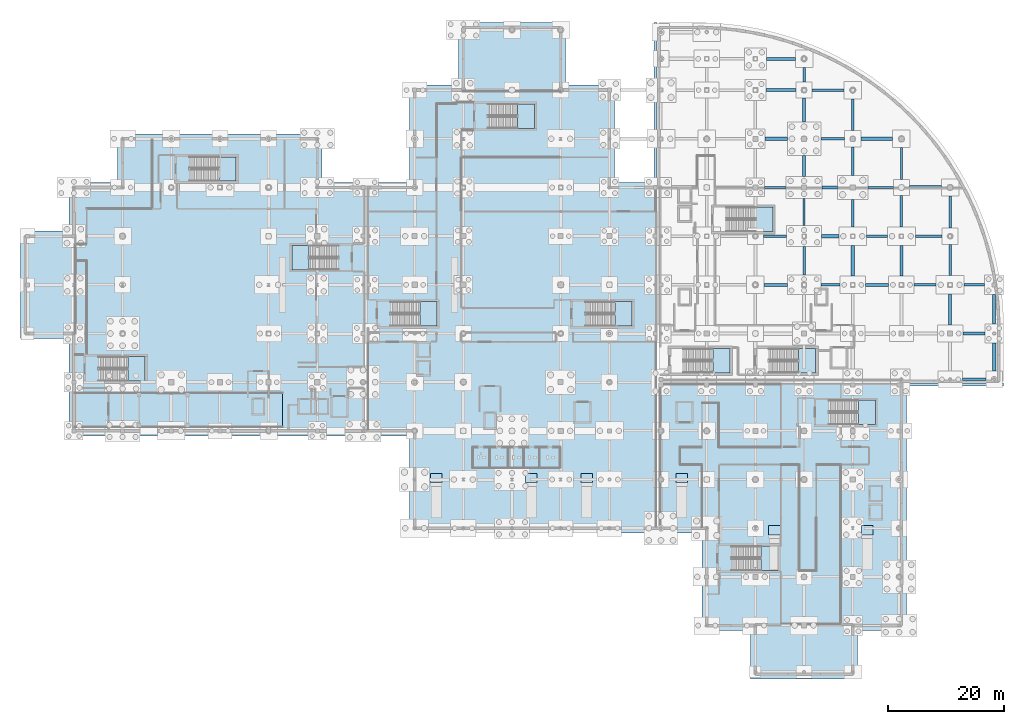
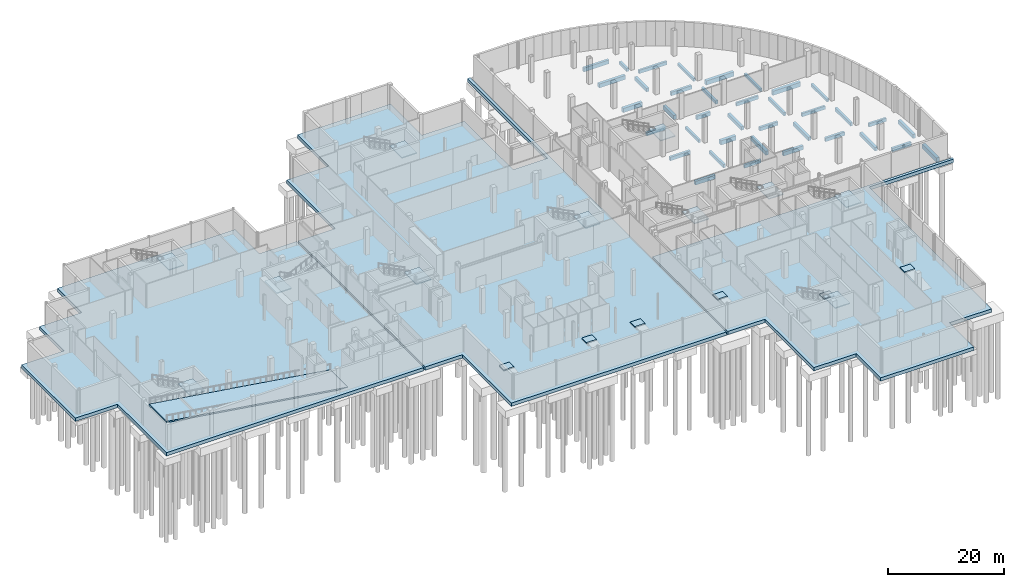
# One storey, part 24 of 49: 38 beams, 21 slabs, 11 elements without a shape of their own.
"""IFC4 building model written with IfcOpenShell, lengths in metres."""

from ifc_helpers import new_model, si_unit, direction, frame, origin, origin_2d, place, context, subcontext, project, spatial, polyline, rectangle, outline, extrude, material, layer, layer_set, material_profile, profile_set, type_object, element, aggregate, save


model = new_model("IFC4")

# Units and contexts
model_context = context("Model", 3, precision=1e-05, world=origin(), true_north=direction((0.0, 1.0)))
body_context = subcontext(model_context, "Body", "Model", "MODEL_VIEW")
ifc_project = project(units=[si_unit("LENGTHUNIT", "METRE"), si_unit("AREAUNIT", "SQUARE_METRE"), si_unit("VOLUMEUNIT", "CUBIC_METRE"), si_unit("PLANEANGLEUNIT", "RADIAN"), si_unit("MASSUNIT", "GRAM", prefix="KILO"), si_unit("THERMODYNAMICTEMPERATUREUNIT", "KELVIN")], contexts=[model_context])

# Site, building, storey
site_placement = place(None, origin())
site = spatial("IfcSite", under=ifc_project, at=site_placement, CompositionType="ELEMENT")
building_placement = place(site_placement, origin())
building = spatial("IfcBuilding", under=site, at=building_placement, Name="Lustrewick Department Store", CompositionType="ELEMENT")
storey_placement = place(building_placement, frame((0.0, 0.0, -5.39990234375)))
storey = spatial("IfcBuildingStorey", under=building, at=storey_placement, Name="B1", CompositionType="ELEMENT", Elevation=-5.39990234375)

# Beams
ifc_material_1 = material(Name="Concrete C40", Category="concrete")
ifc_material_profile_1 = material_profile(ifc_material_1, rectangle(XDim=0.60009765625, YDim=0.89990234375, at=origin_2d()), Name="RC 600x900")
ifc_profile_set_1 = profile_set([ifc_material_profile_1], Name="Concrete C40")
beam_type_1 = type_object("IfcBeamType", Name="GB01", PredefinedType="BEAM", material=ifc_profile_set_1)
beam_1_placement = place(storey_placement, frame((127.699951171875, 92.39990234375, -1.150146484375), z_axis=(1.0, 0.0, 0.0), x_axis=(0.0, 1.0, 0.0)))
element("IfcBeam", 1, at=beam_1_placement, inside=storey, type_object=beam_type_1, Name="Ground Tie Beam GB01 0217", PredefinedType="BEAM", context=body_context, shape_type="SweptSolid", body=[
    extrude(rectangle(XDim=0.60009765625, YDim=0.89990234375, at=origin_2d()), origin(), (0.0, 0.0, 1.0), 3.800048828125),
])
beam_2_placement = place(storey_placement, frame((137.39990234375, 75.60009765625, -1.150146484375), z_axis=(1.0, 0.0, 0.0), x_axis=(0.0, 1.0, 0.0)))
element("IfcBeam", 2, at=beam_2_placement, inside=storey, type_object=beam_type_1, Name="Ground Tie Beam GB01 0225", PredefinedType="BEAM", context=body_context, shape_type="SweptSolid", body=[
    extrude(rectangle(XDim=0.60009765625, YDim=0.89990234375, at=origin_2d()), origin(), (0.0, 0.0, 1.0), 3.0),
])
for number, where, z_axis, x_axis, name in (
    (3, (144.199951171875, 92.39990234375, -1.150146484375), (1.0, 0.0, 0.0), (0.0, 1.0, 0.0), "Ground Tie Beam GB01 0241"),
    (4, (152.60009765625, 84.0, -1.150146484375), (1.0, 0.0, 0.0), (0.0, 1.0, 0.0), "Ground Tie Beam GB01 0249"),
):
    element("IfcBeam", number, at=place(storey_placement, frame(where, z_axis=z_axis, x_axis=x_axis)), inside=storey, type_object=beam_type_1, Name=name, PredefinedType="BEAM", context=body_context, shape_type="SweptSolid", body=[
        extrude(rectangle(XDim=0.60009765625, YDim=0.89990234375, at=origin_2d()), origin(), (0.0, 0.0, 1.0), 5.5),
    ])
beam_3_placement = place(storey_placement, frame((167.199951171875, 52.300048828125, -1.150146484375), z_axis=(0.0, 1.0, 0.0), x_axis=(-1.0, 0.0, 0.0)))
element("IfcBeam", 5, at=beam_3_placement, inside=storey, type_object=beam_type_1, Name="Ground Tie Beam GB01 0257", PredefinedType="BEAM", context=body_context, shape_type="SweptSolid", body=[
    extrude(rectangle(XDim=0.60009765625, YDim=0.89990234375, at=origin_2d()), origin(), (0.0, 0.0, 1.0), 4.89990234375),
])
ifc_material_profile_2 = material_profile(ifc_material_1, rectangle(XDim=0.550048828125, YDim=0.85009765625, at=origin_2d()), Name="RC 550x850")
ifc_profile_set_2 = profile_set([ifc_material_profile_2], Name="Concrete C40")
beam_type_2 = type_object("IfcBeamType", Name="GB02", PredefinedType="BEAM", material=ifc_profile_set_2)
beam_4_placement = place(storey_placement, frame((127.800048828125, 100.800048828125, -1.125), z_axis=(1.0, 0.0, 0.0), x_axis=(0.0, 1.0, 0.0)))
element("IfcBeam", 6, at=beam_4_placement, inside=storey, type_object=beam_type_2, Name="Ground Tie Beam GB02 0218", PredefinedType="BEAM", context=body_context, shape_type="SweptSolid", body=[
    extrude(rectangle(XDim=0.550048828125, YDim=0.85009765625, at=origin_2d()), origin(), (0.0, 0.0, 1.0), 5.199951171875),
])
beam_5_placement = place(storey_placement, frame((134.39990234375, 85.89990234375, -1.125), z_axis=(0.0, 1.0, 0.0), x_axis=(-1.0, 0.0, 0.0)))
element("IfcBeam", 7, at=beam_5_placement, inside=storey, type_object=beam_type_2, Name="Ground Tie Beam GB02 0226", PredefinedType="BEAM", context=body_context, shape_type="SweptSolid", body=[
    extrude(rectangle(XDim=0.550048828125, YDim=0.85009765625, at=origin_2d()), origin(), (0.0, 0.0, 1.0), 3.60009765625),
])
beam_6_placement = place(storey_placement, frame((142.800048828125, 68.699951171875, -1.125), z_axis=(0.0, 1.0, 0.0), x_axis=(-1.0, 0.0, 0.0)))
element("IfcBeam", 8, at=beam_6_placement, inside=storey, type_object=beam_type_2, Name="Ground Tie Beam GB02 0234", PredefinedType="BEAM", context=body_context, shape_type="SweptSolid", body=[
    extrude(rectangle(XDim=0.550048828125, YDim=0.85009765625, at=origin_2d()), origin(), (0.0, 0.0, 1.0), 5.300048828125),
])
beam_7_placement = place(storey_placement, frame((167.199951171875, 60.39990234375, -1.125), z_axis=(0.0, 1.0, 0.0), x_axis=(-1.0, 0.0, 0.0)))
element("IfcBeam", 9, at=beam_7_placement, inside=storey, type_object=beam_type_2, Name="Ground Tie Beam GB02 0258", PredefinedType="BEAM", context=body_context, shape_type="SweptSolid", body=[
    extrude(rectangle(XDim=0.550048828125, YDim=0.85009765625, at=origin_2d()), origin(), (0.0, 0.0, 1.0), 5.10009765625),
])
ifc_material_profile_3 = material_profile(ifc_material_1, rectangle(XDim=0.5, YDim=0.800048828125, at=origin_2d()), Name="RC 500x800")
ifc_profile_set_3 = profile_set([ifc_material_profile_3], Name="Concrete C40")
beam_type_3 = type_object("IfcBeamType", Name="GB03", PredefinedType="BEAM", material=ifc_profile_set_3)
beam_8_placement = place(storey_placement, frame((127.5, 67.199951171875, -1.10009765625), z_axis=(1.0, 0.0, 0.0), x_axis=(0.0, 1.0, 0.0)))
element("IfcBeam", 10, at=beam_8_placement, inside=storey, type_object=beam_type_3, Name="Ground Tie Beam GB03 0211", PredefinedType="BEAM", context=body_context, shape_type="SweptSolid", body=[
    extrude(rectangle(XDim=0.5, YDim=0.800048828125, at=origin_2d()), origin(), (0.0, 0.0, 1.0), 4.0),
])
beam_9_placement = place(storey_placement, frame((127.89990234375, 106.199951171875, -1.10009765625), z_axis=(1.0, 0.0, 0.0), x_axis=(0.0, 1.0, 0.0)))
element("IfcBeam", 11, at=beam_9_placement, inside=storey, type_object=beam_type_3, Name="Ground Tie Beam GB03 0219", PredefinedType="BEAM", context=body_context, shape_type="SweptSolid", body=[
    extrude(rectangle(XDim=0.5, YDim=0.800048828125, at=origin_2d()), origin(), (0.0, 0.0, 1.0), 5.0),
])
beam_10_placement = place(storey_placement, frame((137.5, 84.0, -1.10009765625), z_axis=(1.0, 0.0, 0.0), x_axis=(0.0, 1.0, 0.0)))
element("IfcBeam", 12, at=beam_10_placement, inside=storey, type_object=beam_type_3, Name="Ground Tie Beam GB03 0227", PredefinedType="BEAM", context=body_context, shape_type="SweptSolid", body=[
    extrude(rectangle(XDim=0.5, YDim=0.800048828125, at=origin_2d()), origin(), (0.0, 0.0, 1.0), 2.699951171875),
])
beam_11_placement = place(storey_placement, frame((145.0, 67.199951171875, -1.10009765625), z_axis=(1.0, 0.0, 0.0), x_axis=(0.0, 1.0, 0.0)))
element("IfcBeam", 13, at=beam_11_placement, inside=storey, type_object=beam_type_3, Name="Ground Tie Beam GB03 0235", PredefinedType="BEAM", context=body_context, shape_type="SweptSolid", body=[
    extrude(rectangle(XDim=0.5, YDim=0.800048828125, at=origin_2d()), origin(), (0.0, 0.0, 1.0), 4.0),
])
beam_12_placement = place(storey_placement, frame((161.699951171875, 50.89990234375, -1.10009765625), z_axis=(1.0, 0.0, 0.0), x_axis=(0.0, 1.0, 0.0)))
element("IfcBeam", 14, at=beam_12_placement, inside=storey, type_object=beam_type_3, Name="Ground Tie Beam GB03 0251", PredefinedType="BEAM", context=body_context, shape_type="SweptSolid", body=[
    extrude(rectangle(XDim=0.5, YDim=0.800048828125, at=origin_2d()), origin(), (0.0, 0.0, 1.0), 4.10009765625),
])
ifc_material_profile_4 = material_profile(ifc_material_1, rectangle(XDim=0.5, YDim=0.75, at=origin_2d()), Name="RC 500x750")
ifc_profile_set_4 = profile_set([ifc_material_profile_4], Name="Concrete C40")
beam_type_4 = type_object("IfcBeamType", Name="GB04", PredefinedType="BEAM", material=ifc_profile_set_4)
beam_13_placement = place(storey_placement, frame((134.39990234375, 95.300048828125, -1.0751953125), z_axis=(0.0, 1.0, 0.0), x_axis=(-1.0, 0.0, 0.0)))
element("IfcBeam", 15, at=beam_13_placement, inside=storey, type_object=beam_type_4, Name="Ground Tie Beam GB04 0228", PredefinedType="BEAM", context=body_context, shape_type="SweptSolid", body=[
    extrude(rectangle(XDim=0.5, YDim=0.75, at=origin_2d()), origin(), (0.0, 0.0, 1.0), 4.099853515625),
])
beam_14_placement = place(storey_placement, frame((142.800048828125, 77.199951171875, -1.0751953125), z_axis=(0.0, 1.0, 0.0), x_axis=(-1.0, 0.0, 0.0)))
element("IfcBeam", 16, at=beam_14_placement, inside=storey, type_object=beam_type_4, Name="Ground Tie Beam GB04 0236", PredefinedType="BEAM", context=body_context, shape_type="SweptSolid", body=[
    extrude(rectangle(XDim=0.5, YDim=0.75, at=origin_2d()), origin(), (0.0, 0.0, 1.0), 4.699951171875),
])
for number, where, z_axis, x_axis, name in (
    (17, (151.199951171875, 68.699951171875, -1.0751953125), (0.0, 1.0, 0.0), (-1.0, 0.0, 0.0), "Ground Tie Beam GB04 0244"),
    (18, (159.60009765625, 60.300048828125, -1.0751953125), (0.0, 1.0, 0.0), (-1.0, 0.0, 0.0), "Ground Tie Beam GB04 0252"),
):
    element("IfcBeam", number, at=place(storey_placement, frame(where, z_axis=z_axis, x_axis=x_axis)), inside=storey, type_object=beam_type_4, Name=name, PredefinedType="BEAM", context=body_context, shape_type="SweptSolid", body=[
        extrude(rectangle(XDim=0.5, YDim=0.75, at=origin_2d()), origin(), (0.0, 0.0, 1.0), 5.300048828125),
    ])
ifc_material_profile_5 = material_profile(ifc_material_1, rectangle(XDim=0.449951171875, YDim=0.75, at=origin_2d()), Name="RC 450x750")
ifc_profile_set_5 = profile_set([ifc_material_profile_5], Name="Concrete C40")
beam_type_5 = type_object("IfcBeamType", Name="GB05", PredefinedType="BEAM", material=ifc_profile_set_5)
beam_15_placement = place(storey_placement, frame((127.39990234375, 75.60009765625, -1.0751953125), z_axis=(1.0, 0.0, 0.0), x_axis=(0.0, 1.0, 0.0)))
element("IfcBeam", 19, at=beam_15_placement, inside=storey, type_object=beam_type_5, Name="Ground Tie Beam GB05 0213", PredefinedType="BEAM", context=body_context, shape_type="SweptSolid", body=[
    extrude(rectangle(XDim=0.449951171875, YDim=0.75, at=origin_2d()), origin(), (0.0, 0.0, 1.0), 4.0),
])
beam_16_placement = place(storey_placement, frame((137.300048828125, 92.39990234375, -1.0751953125), z_axis=(1.0, 0.0, 0.0), x_axis=(0.0, 1.0, 0.0)))
element("IfcBeam", 20, at=beam_16_placement, inside=storey, type_object=beam_type_5, Name="Ground Tie Beam GB05 0229", PredefinedType="BEAM", context=body_context, shape_type="SweptSolid", body=[
    extrude(rectangle(XDim=0.449951171875, YDim=0.75, at=origin_2d()), origin(), (0.0, 0.0, 1.0), 4.099853515625),
])
beam_17_placement = place(storey_placement, frame((145.199951171875, 75.60009765625, -1.0751953125), z_axis=(1.0, 0.0, 0.0), x_axis=(0.0, 1.0, 0.0)))
element("IfcBeam", 21, at=beam_17_placement, inside=storey, type_object=beam_type_5, Name="Ground Tie Beam GB05 0237", PredefinedType="BEAM", context=body_context, shape_type="SweptSolid", body=[
    extrude(rectangle(XDim=0.449951171875, YDim=0.75, at=origin_2d()), origin(), (0.0, 0.0, 1.0), 3.60009765625),
])
for number, where, z_axis, x_axis, name in (
    (22, (153.39990234375, 67.199951171875, -1.0751953125), (1.0, 0.0, 0.0), (0.0, 1.0, 0.0), "Ground Tie Beam GB05 0245"),
    (23, (161.800048828125, 58.800048828125, -1.0751953125), (1.0, 0.0, 0.0), (0.0, 1.0, 0.0), "Ground Tie Beam GB05 0253"),
):
    element("IfcBeam", number, at=place(storey_placement, frame(where, z_axis=z_axis, x_axis=x_axis)), inside=storey, type_object=beam_type_5, Name=name, PredefinedType="BEAM", context=body_context, shape_type="SweptSolid", body=[
        extrude(rectangle(XDim=0.449951171875, YDim=0.75, at=origin_2d()), origin(), (0.0, 0.0, 1.0), 3.800048828125),
    ])
ifc_material_profile_6 = material_profile(ifc_material_1, rectangle(XDim=0.449951171875, YDim=0.699951171875, at=origin_2d()), Name="RC 450x700")
ifc_profile_set_6 = profile_set([ifc_material_profile_6], Name="Concrete C40")
beam_type_6 = type_object("IfcBeamType", Name="GB06", PredefinedType="BEAM", material=ifc_profile_set_6)
beam_18_placement = place(storey_placement, frame((134.39990234375, 68.89990234375, -1.050048828125), z_axis=(0.0, 1.0, 0.0), x_axis=(-1.0, 0.0, 0.0)))
element("IfcBeam", 24, at=beam_18_placement, inside=storey, type_object=beam_type_6, Name="Ground Tie Beam GB06 0222", PredefinedType="BEAM", context=body_context, shape_type="SweptSolid", body=[
    extrude(rectangle(XDim=0.449951171875, YDim=0.699951171875, at=origin_2d()), origin(), (0.0, 0.0, 1.0), 4.900146484375),
])
beam_19_placement = place(storey_placement, frame((134.39990234375, 102.199951171875, -1.050048828125), z_axis=(0.0, 1.0, 0.0), x_axis=(-1.0, 0.0, 0.0)))
element("IfcBeam", 25, at=beam_19_placement, inside=storey, type_object=beam_type_6, Name="Ground Tie Beam GB06 0230", PredefinedType="BEAM", context=body_context, shape_type="SweptSolid", body=[
    extrude(rectangle(XDim=0.449951171875, YDim=0.699951171875, at=origin_2d()), origin(), (0.0, 0.0, 1.0), 2.5),
])
beam_20_placement = place(storey_placement, frame((142.800048828125, 86.10009765625, -1.050048828125), z_axis=(0.0, 1.0, 0.0), x_axis=(-1.0, 0.0, 0.0)))
element("IfcBeam", 26, at=beam_20_placement, inside=storey, type_object=beam_type_6, Name="Ground Tie Beam GB06 0238", PredefinedType="BEAM", context=body_context, shape_type="SweptSolid", body=[
    extrude(rectangle(XDim=0.449951171875, YDim=0.699951171875, at=origin_2d()), origin(), (0.0, 0.0, 1.0), 4.89990234375),
])
beam_21_placement = place(storey_placement, frame((151.199951171875, 77.199951171875, -1.050048828125), z_axis=(0.0, 1.0, 0.0), x_axis=(-1.0, 0.0, 0.0)))
element("IfcBeam", 27, at=beam_21_placement, inside=storey, type_object=beam_type_6, Name="Ground Tie Beam GB06 0246", PredefinedType="BEAM", context=body_context, shape_type="SweptSolid", body=[
    extrude(rectangle(XDim=0.449951171875, YDim=0.699951171875, at=origin_2d()), origin(), (0.0, 0.0, 1.0), 5.400146484375),
])
beam_22_placement = place(storey_placement, frame((159.60009765625, 68.800048828125, -1.050048828125), z_axis=(0.0, 1.0, 0.0), x_axis=(-1.0, 0.0, 0.0)))
element("IfcBeam", 28, at=beam_22_placement, inside=storey, type_object=beam_type_6, Name="Ground Tie Beam GB06 0254", PredefinedType="BEAM", context=body_context, shape_type="SweptSolid", body=[
    extrude(rectangle(XDim=0.449951171875, YDim=0.699951171875, at=origin_2d()), origin(), (0.0, 0.0, 1.0), 5.39990234375),
])
ifc_material_profile_7 = material_profile(ifc_material_1, rectangle(XDim=0.39990234375, YDim=0.699951171875, at=origin_2d()), Name="RC 400x700")
ifc_profile_set_7 = profile_set([ifc_material_profile_7], Name="Concrete C40")
beam_type_7 = type_object("IfcBeamType", Name="GB07", PredefinedType="BEAM", material=ifc_profile_set_7)
beam_23_placement = place(storey_placement, frame((127.60009765625, 84.0, -1.050048828125), z_axis=(1.0, 0.0, 0.0), x_axis=(0.0, 1.0, 0.0)))
element("IfcBeam", 29, at=beam_23_placement, inside=storey, type_object=beam_type_7, Name="Ground Tie Beam GB07 0215", PredefinedType="BEAM", context=body_context, shape_type="SweptSolid", body=[
    extrude(rectangle(XDim=0.39990234375, YDim=0.699951171875, at=origin_2d()), origin(), (0.0, 0.0, 1.0), 3.699951171875),
])
beam_24_placement = place(storey_placement, frame((137.300048828125, 67.199951171875, -1.050048828125), z_axis=(1.0, 0.0, 0.0), x_axis=(0.0, 1.0, 0.0)))
element("IfcBeam", 30, at=beam_24_placement, inside=storey, type_object=beam_type_7, Name="Ground Tie Beam GB07 0223", PredefinedType="BEAM", context=body_context, shape_type="SweptSolid", body=[
    extrude(rectangle(XDim=0.39990234375, YDim=0.699951171875, at=origin_2d()), origin(), (0.0, 0.0, 1.0), 3.300048828125),
])
beam_25_placement = place(storey_placement, frame((135.800048828125, 100.800048828125, -1.050048828125), z_axis=(1.0, 0.0, 0.0), x_axis=(0.0, 1.0, 0.0)))
element("IfcBeam", 31, at=beam_25_placement, inside=storey, type_object=beam_type_7, Name="Ground Tie Beam GB07 0231", PredefinedType="BEAM", context=body_context, shape_type="SweptSolid", body=[
    extrude(rectangle(XDim=0.39990234375, YDim=0.699951171875, at=origin_2d()), origin(), (0.0, 0.0, 1.0), 5.5),
])
beam_26_placement = place(storey_placement, frame((145.39990234375, 84.0, -1.050048828125), z_axis=(1.0, 0.0, 0.0), x_axis=(0.0, 1.0, 0.0)))
element("IfcBeam", 32, at=beam_26_placement, inside=storey, type_object=beam_type_7, Name="Ground Tie Beam GB07 0239", PredefinedType="BEAM", context=body_context, shape_type="SweptSolid", body=[
    extrude(rectangle(XDim=0.39990234375, YDim=0.699951171875, at=origin_2d()), origin(), (0.0, 0.0, 1.0), 4.400146484375),
])
beam_27_placement = place(storey_placement, frame((153.60009765625, 75.60009765625, -1.050048828125), z_axis=(1.0, 0.0, 0.0), x_axis=(0.0, 1.0, 0.0)))
element("IfcBeam", 33, at=beam_27_placement, inside=storey, type_object=beam_type_7, Name="Ground Tie Beam GB07 0247", PredefinedType="BEAM", context=body_context, shape_type="SweptSolid", body=[
    extrude(rectangle(XDim=0.39990234375, YDim=0.699951171875, at=origin_2d()), origin(), (0.0, 0.0, 1.0), 4.599853515625),
])
beam_28_placement = place(storey_placement, frame((162.0, 67.199951171875, -1.050048828125), z_axis=(1.0, 0.0, 0.0), x_axis=(0.0, 1.0, 0.0)))
element("IfcBeam", 34, at=beam_28_placement, inside=storey, type_object=beam_type_7, Name="Ground Tie Beam GB07 0255", PredefinedType="BEAM", context=body_context, shape_type="SweptSolid", body=[
    extrude(rectangle(XDim=0.39990234375, YDim=0.699951171875, at=origin_2d()), origin(), (0.0, 0.0, 1.0), 3.5),
])
ifc_material_profile_8 = material_profile(ifc_material_1, rectangle(XDim=0.39990234375, YDim=0.60009765625, at=origin_2d()), Name="RC 400x600")
ifc_profile_set_8 = profile_set([ifc_material_profile_8], Name="Concrete C40")
beam_type_8 = type_object("IfcBeamType", Name="GB08", PredefinedType="BEAM", material=ifc_profile_set_8)
beam_29_placement = place(storey_placement, frame((134.39990234375, 77.39990234375, -1.0), z_axis=(0.0, 1.0, 0.0), x_axis=(-1.0, 0.0, 0.0)))
element("IfcBeam", 35, at=beam_29_placement, inside=storey, type_object=beam_type_8, Name="Ground Tie Beam GB08 0224", PredefinedType="BEAM", context=body_context, shape_type="SweptSolid", body=[
    extrude(rectangle(XDim=0.39990234375, YDim=0.60009765625, at=origin_2d()), origin(), (0.0, 0.0, 1.0), 4.7001953125),
])
for number, where, z_axis, x_axis, name in (
    (36, (142.800048828125, 93.800048828125, -1.0), (0.0, 1.0, 0.0), (-1.0, 0.0, 0.0), "Ground Tie Beam GB08 0240"),
    (37, (151.199951171875, 85.39990234375, -1.0), (0.0, 1.0, 0.0), (-1.0, 0.0, 0.0), "Ground Tie Beam GB08 0248"),
    (38, (159.60009765625, 77.0, -1.0), (0.0, 1.0, 0.0), (-1.0, 0.0, 0.0), "Ground Tie Beam GB08 0256"),
):
    element("IfcBeam", number, at=place(storey_placement, frame(where, z_axis=z_axis, x_axis=x_axis)), inside=storey, type_object=beam_type_8, Name=name, PredefinedType="BEAM", context=body_context, shape_type="SweptSolid", body=[
        extrude(rectangle(XDim=0.39990234375, YDim=0.60009765625, at=origin_2d()), origin(), (0.0, 0.0, 1.0), 5.5),
    ])

# Slabs
ifc_material_2 = material(Name="Concrete C35", Category="concrete")
ifc_layer_1 = layer(ifc_material_2, 0.699951171875, Name="Concrete C35")
ifc_layer_set_1 = layer_set([ifc_layer_1], Name="Concrete C35")
slab_type_1 = type_object("IfcSlabType", Name="BS01", PredefinedType="BASESLAB", material=ifc_layer_set_1)
slab_1_placement = place(storey_placement, frame((0.0, 0.0, -0.7001953125)))
element("IfcSlab", 39, at=slab_1_placement, inside=storey, type_object=slab_type_1, Name="B1 Base Slab BS-W", PredefinedType="BASESLAB", context=body_context, shape_type="SweptSolid", body=[
    extrude(outline(polyline([(58.64990234375, 41.14990234375), (58.64990234375, 84.85009765625), (51.25, 84.85009765625), (51.25, 93.25), (15.949951171875, 93.25), (15.949951171875, 84.85009765625), (7.550048828125, 84.85009765625), (7.550048828125, 76.449951171875), (-0.85009765625, 76.449951171875), (-0.85009765625, 57.949951171875), (7.550048828125, 57.949951171875), (7.550048828125, 41.14990234375), (58.64990234375, 41.14990234375)])), origin(), (0.0, 0.0, 1.0), 0.7001953125),
])
slab_2_placement = place(storey_placement, frame((0.0, 0.0, -0.7001953125)))
element("IfcSlab", 40, at=slab_2_placement, inside=storey, type_object=slab_type_1, Name="B1 Base Slab BS-C", PredefinedType="BASESLAB", context=body_context, shape_type="SweptSolid", body=[
    extrude(outline(polyline([(108.5, 84.85009765625), (101.64990234375, 84.85009765625), (101.64990234375, 101.64990234375), (93.25, 101.64990234375), (93.25, 112.449951171875), (74.75, 112.449951171875), (74.75, 101.64990234375), (66.35009765625, 101.64990234375), (66.35009765625, 84.85009765625), (58.949951171875, 84.85009765625), (58.949951171875, 41.14990234375), (66.35009765625, 41.14990234375), (66.35009765625, 24.35009765625), (109.050048828125, 24.35009765625), (109.050048828125, 112.449951171875), (108.5, 112.449951171875), (108.5, 84.85009765625)])), origin(), (0.0, 0.0, 1.0), 0.7001953125),
])
ifc_layer_2 = layer(ifc_material_2, 0.6201171875, Name="Concrete C35")
ifc_layer_set_2 = layer_set([ifc_layer_2], Name="Concrete C35")
slab_type_2 = type_object("IfcSlabType", Name="BS02", PredefinedType="BASESLAB", material=ifc_layer_set_2)
slab_3_placement = place(storey_placement, frame((0.0, 0.0, -0.7001953125)))
element("IfcSlab", 41, at=slab_3_placement, inside=storey, type_object=slab_type_2, Name="B1 Base Slab BS-SE", PredefinedType="BASESLAB", context=body_context, shape_type="SweptSolid", body=[
    extrude(outline(polyline([(168.85009765625, 50.25), (109.35009765625, 50.25), (109.35009765625, 24.35009765625), (116.75, 24.35009765625), (116.75, 7.550048828125), (125.14990234375, 7.550048828125), (125.14990234375, -0.85009765625), (143.64990234375, -0.85009765625), (143.64990234375, 7.550048828125), (152.050048828125, 7.550048828125), (152.050048828125, 49.699951171875), (168.85009765625, 49.699951171875), (168.85009765625, 50.25)])), origin(), (0.0, 0.0, 1.0), 0.7001953125),
])

# Stair, slab
ifc_material_3 = material(Name="Concrete C30", Category="concrete")
stair_type = type_object("IfcStairType", Name="ST-H54", PredefinedType="HALF_TURN_STAIR", material=ifc_material_3)
stair_1_placement = place(storey_placement, origin())
stair_1 = element("IfcStair", 42, at=stair_1_placement, inside=storey, type_object=stair_type, Name="B1 Smoke-Proof Exit Stair ST01", PredefinedType="HALF_TURN_STAIR")
ifc_layer_3 = layer(ifc_material_3, 0.199951171875, Name="Concrete C30")
ifc_layer_set_3 = layer_set([ifc_layer_3], Name="Concrete C30")
slab_type_3 = type_object("IfcSlabType", Name="LS01", PredefinedType="LANDING", material=ifc_layer_set_3)
slab_4_placement = place(storey_placement, frame((0.0, 0.0, 2.5)))
slab_4 = element("IfcSlab", 43, at=slab_4_placement, type_object=slab_type_3, Name="ST-H54 landing 1", PredefinedType="LANDING", context=body_context, shape_type="SweptSolid", body=[
    extrude(outline(polyline([(17.75, 50.60009765625), (20.699951171875, 50.60009765625), (20.699951171875, 54.800048828125), (17.75, 54.800048828125), (17.75, 50.60009765625)])), origin(), (0.0, 0.0, 1.0), 0.199951171875),
])
aggregate(stair_1, [slab_4])

stair_2_placement = place(storey_placement, origin())
stair_2 = element("IfcStair", 44, at=stair_2_placement, inside=storey, type_object=stair_type, Name="B1 Smoke-Proof Exit Stair ST02", PredefinedType="HALF_TURN_STAIR")
slab_5_placement = place(storey_placement, frame((0.0, 0.0, 2.5)))
slab_5 = element("IfcSlab", 45, at=slab_5_placement, type_object=slab_type_3, Name="ST-H54 landing 1", PredefinedType="LANDING", context=body_context, shape_type="SweptSolid", body=[
    extrude(outline(polyline([(48.949951171875, 74.0), (46.0, 74.0), (46.0, 69.800048828125), (48.949951171875, 69.800048828125), (48.949951171875, 74.0)])), origin(), (0.0, 0.0, 1.0), 0.199951171875),
])
aggregate(stair_2, [slab_5])

stair_3_placement = place(storey_placement, origin())
stair_3 = element("IfcStair", 46, at=stair_3_placement, inside=storey, type_object=stair_type, Name="B1 Smoke-Proof Exit Stair ST03", PredefinedType="HALF_TURN_STAIR")
slab_6_placement = place(storey_placement, frame((0.0, 0.0, 2.5)))
slab_6 = element("IfcSlab", 47, at=slab_6_placement, type_object=slab_type_3, Name="ST-H54 landing 1", PredefinedType="LANDING", context=body_context, shape_type="SweptSolid", body=[
    extrude(outline(polyline([(33.449951171875, 85.10009765625), (36.39990234375, 85.10009765625), (36.39990234375, 89.300048828125), (33.449951171875, 89.300048828125), (33.449951171875, 85.10009765625)])), origin(), (0.0, 0.0, 1.0), 0.199951171875),
])
aggregate(stair_3, [slab_6])

stair_4_placement = place(storey_placement, origin())
stair_4 = element("IfcStair", 48, at=stair_4_placement, inside=storey, type_object=stair_type, Name="B1 Smoke-Proof Exit Stair ST04", PredefinedType="HALF_TURN_STAIR")
slab_7_placement = place(storey_placement, frame((0.0, 0.0, 2.5)))
slab_7 = element("IfcSlab", 49, at=slab_7_placement, type_object=slab_type_3, Name="ST-H54 landing 1", PredefinedType="LANDING", context=body_context, shape_type="SweptSolid", body=[
    extrude(outline(polyline([(68.14990234375, 60.10009765625), (71.10009765625, 60.10009765625), (71.10009765625, 64.300048828125), (68.14990234375, 64.300048828125), (68.14990234375, 60.10009765625)])), origin(), (0.0, 0.0, 1.0), 0.199951171875),
])
aggregate(stair_4, [slab_7])

stair_5_placement = place(storey_placement, origin())
stair_5 = element("IfcStair", 50, at=stair_5_placement, inside=storey, type_object=stair_type, Name="B1 Smoke-Proof Exit Stair ST05", PredefinedType="HALF_TURN_STAIR")
slab_8_placement = place(storey_placement, frame((0.0, 0.0, 2.5)))
slab_8 = element("IfcSlab", 51, at=slab_8_placement, type_object=slab_type_3, Name="ST-H54 landing 1", PredefinedType="LANDING", context=body_context, shape_type="SweptSolid", body=[
    extrude(outline(polyline([(101.75, 60.10009765625), (104.699951171875, 60.10009765625), (104.699951171875, 64.300048828125), (101.75, 64.300048828125), (101.75, 60.10009765625)])), origin(), (0.0, 0.0, 1.0), 0.199951171875),
])
aggregate(stair_5, [slab_8])

stair_6_placement = place(storey_placement, origin())
stair_6 = element("IfcStair", 52, at=stair_6_placement, inside=storey, type_object=stair_type, Name="B1 Smoke-Proof Exit Stair ST06", PredefinedType="HALF_TURN_STAIR")
slab_9_placement = place(storey_placement, frame((0.0, 0.0, 2.5)))
slab_9 = element("IfcSlab", 53, at=slab_9_placement, type_object=slab_type_3, Name="ST-H54 landing 1", PredefinedType="LANDING", context=body_context, shape_type="SweptSolid", body=[
    extrude(outline(polyline([(84.949951171875, 94.199951171875), (87.89990234375, 94.199951171875), (87.89990234375, 98.39990234375), (84.949951171875, 98.39990234375), (84.949951171875, 94.199951171875)])), origin(), (0.0, 0.0, 1.0), 0.199951171875),
])
aggregate(stair_6, [slab_9])

stair_7_placement = place(storey_placement, origin())
stair_7 = element("IfcStair", 54, at=stair_7_placement, inside=storey, type_object=stair_type, Name="B1 Smoke-Proof Exit Stair ST07", PredefinedType="HALF_TURN_STAIR")
slab_10_placement = place(storey_placement, frame((0.0, 0.0, 2.5)))
slab_10 = element("IfcSlab", 55, at=slab_10_placement, type_object=slab_type_3, Name="ST-H54 landing 1", PredefinedType="LANDING", context=body_context, shape_type="SweptSolid", body=[
    extrude(outline(polyline([(126.949951171875, 17.89990234375), (129.89990234375, 17.89990234375), (129.89990234375, 22.10009765625), (126.949951171875, 22.10009765625), (126.949951171875, 17.89990234375)])), origin(), (0.0, 0.0, 1.0), 0.199951171875),
])
aggregate(stair_7, [slab_10])

stair_8_placement = place(storey_placement, origin())
stair_8 = element("IfcStair", 56, at=stair_8_placement, inside=storey, type_object=stair_type, Name="B1 Smoke-Proof Exit Stair ST08", PredefinedType="HALF_TURN_STAIR")
slab_11_placement = place(storey_placement, frame((0.0, 0.0, 2.5)))
slab_11 = element("IfcSlab", 57, at=slab_11_placement, type_object=slab_type_3, Name="ST-H54 landing 1", PredefinedType="LANDING", context=body_context, shape_type="SweptSolid", body=[
    extrude(outline(polyline([(143.75, 43.10009765625), (146.699951171875, 43.10009765625), (146.699951171875, 47.300048828125), (143.75, 47.300048828125), (143.75, 43.10009765625)])), origin(), (0.0, 0.0, 1.0), 0.199951171875),
])
aggregate(stair_8, [slab_11])

stair_9_placement = place(storey_placement, origin())
stair_9 = element("IfcStair", 58, at=stair_9_placement, inside=storey, type_object=stair_type, Name="B1 Smoke-Proof Exit Stair ST09", PredefinedType="HALF_TURN_STAIR")
slab_12_placement = place(storey_placement, frame((0.0, 0.0, 2.5)))
slab_12 = element("IfcSlab", 59, at=slab_12_placement, type_object=slab_type_3, Name="ST-H54 landing 1", PredefinedType="LANDING", context=body_context, shape_type="SweptSolid", body=[
    extrude(outline(polyline([(118.64990234375, 52.0), (121.60009765625, 52.0), (121.60009765625, 56.199951171875), (118.64990234375, 56.199951171875), (118.64990234375, 52.0)])), origin(), (0.0, 0.0, 1.0), 0.199951171875),
])
aggregate(stair_9, [slab_12])

stair_10_placement = place(storey_placement, origin())
stair_10 = element("IfcStair", 60, at=stair_10_placement, inside=storey, type_object=stair_type, Name="B1 Smoke-Proof Exit Stair ST10", PredefinedType="HALF_TURN_STAIR")
slab_13_placement = place(storey_placement, frame((0.0, 0.0, 2.5)))
slab_13 = element("IfcSlab", 61, at=slab_13_placement, type_object=slab_type_3, Name="ST-H54 landing 1", PredefinedType="LANDING", context=body_context, shape_type="SweptSolid", body=[
    extrude(outline(polyline([(126.050048828125, 76.39990234375), (129.0, 76.39990234375), (129.0, 80.60009765625), (126.050048828125, 80.60009765625), (126.050048828125, 76.39990234375)])), origin(), (0.0, 0.0, 1.0), 0.199951171875),
])
aggregate(stair_10, [slab_13])

stair_11_placement = place(storey_placement, origin())
stair_11 = element("IfcStair", 62, at=stair_11_placement, inside=storey, type_object=stair_type, Name="B1 Smoke-Proof Exit Stair ST11", PredefinedType="HALF_TURN_STAIR")
slab_14_placement = place(storey_placement, frame((0.0, 0.0, 2.5)))
slab_14 = element("IfcSlab", 63, at=slab_14_placement, type_object=slab_type_3, Name="ST-H54 landing 1", PredefinedType="LANDING", context=body_context, shape_type="SweptSolid", body=[
    extrude(outline(polyline([(133.449951171875, 52.0), (136.39990234375, 52.0), (136.39990234375, 56.199951171875), (133.449951171875, 56.199951171875), (133.449951171875, 52.0)])), origin(), (0.0, 0.0, 1.0), 0.199951171875),
])
aggregate(stair_11, [slab_14])

# Slabs
slab_15_placement = place(storey_placement, frame((0.0, 0.0, 0.25)))
element("IfcSlab", 64, at=slab_15_placement, inside=storey, type_object=slab_type_3, Name="B1 Barrier-Free Ramp Top Landing Slab PR-01", PredefinedType="LANDING", context=body_context, shape_type="SweptSolid", body=[
    extrude(outline(polyline([(71.89990234375, 33.050048828125), (71.89990234375, 34.64990234375), (69.89990234375, 34.64990234375), (69.89990234375, 33.050048828125), (71.89990234375, 33.050048828125)])), origin(), (0.0, 0.0, 1.0), 0.199951171875),
])
slab_16_placement = place(storey_placement, frame((0.0, 0.0, 0.25)))
element("IfcSlab", 65, at=slab_16_placement, inside=storey, type_object=slab_type_3, Name="B1 Barrier-Free Ramp Top Landing Slab PR-02", PredefinedType="LANDING", context=body_context, shape_type="SweptSolid", body=[
    extrude(outline(polyline([(88.300048828125, 33.050048828125), (88.300048828125, 34.64990234375), (86.300048828125, 34.64990234375), (86.300048828125, 33.050048828125), (88.300048828125, 33.050048828125)])), origin(), (0.0, 0.0, 1.0), 0.199951171875),
])
slab_17_placement = place(storey_placement, frame((0.0, 0.0, 0.25)))
element("IfcSlab", 66, at=slab_17_placement, inside=storey, type_object=slab_type_3, Name="B1 Barrier-Free Ramp Top Landing Slab PR-03", PredefinedType="LANDING", context=body_context, shape_type="SweptSolid", body=[
    extrude(outline(polyline([(97.89990234375, 33.050048828125), (97.89990234375, 34.64990234375), (95.89990234375, 34.64990234375), (95.89990234375, 33.050048828125), (97.89990234375, 33.050048828125)])), origin(), (0.0, 0.0, 1.0), 0.199951171875),
])
slab_18_placement = place(storey_placement, frame((0.0, 0.0, 0.25)))
element("IfcSlab", 67, at=slab_18_placement, inside=storey, type_object=slab_type_3, Name="B1 Barrier-Free Ramp Top Landing Slab PR-04", PredefinedType="LANDING", context=body_context, shape_type="SweptSolid", body=[
    extrude(outline(polyline([(114.300048828125, 33.050048828125), (114.300048828125, 34.64990234375), (112.300048828125, 34.64990234375), (112.300048828125, 33.050048828125), (114.300048828125, 33.050048828125)])), origin(), (0.0, 0.0, 1.0), 0.199951171875),
])
slab_19_placement = place(storey_placement, frame((0.0, 0.0, 0.25)))
element("IfcSlab", 68, at=slab_19_placement, inside=storey, type_object=slab_type_3, Name="B1 Barrier-Free Ramp Top Landing Slab PR-05", PredefinedType="LANDING", context=body_context, shape_type="SweptSolid", body=[
    extrude(outline(polyline([(130.300048828125, 24.050048828125), (130.300048828125, 25.64990234375), (128.300048828125, 25.64990234375), (128.300048828125, 24.050048828125), (130.300048828125, 24.050048828125)])), origin(), (0.0, 0.0, 1.0), 0.199951171875),
])
slab_20_placement = place(storey_placement, frame((0.0, 0.0, 0.25)))
element("IfcSlab", 69, at=slab_20_placement, inside=storey, type_object=slab_type_3, Name="B1 Barrier-Free Ramp Top Landing Slab PR-06", PredefinedType="LANDING", context=body_context, shape_type="SweptSolid", body=[
    extrude(outline(polyline([(146.300048828125, 24.050048828125), (146.300048828125, 25.64990234375), (144.300048828125, 25.64990234375), (144.300048828125, 24.050048828125), (146.300048828125, 24.050048828125)])), origin(), (0.0, 0.0, 1.0), 0.199951171875),
])
ifc_layer_4 = layer(ifc_material_2, 0.27001953125, Name="Concrete C35")
ifc_layer_set_4 = layer_set([ifc_layer_4], Name="Concrete C35")
slab_type_4 = type_object("IfcSlabType", Name="VS01", PredefinedType="FLOOR", material=ifc_layer_set_4)
slab_21_placement = place(storey_placement, frame((44.39990234375, 42.60009765625, 0.0), z_axis=(0.148337829299, 0.0, 0.988936746409), x_axis=(-0.988936746409, 0.0, 0.148337829299)))
element("IfcSlab", 70, at=slab_21_placement, inside=storey, type_object=slab_type_4, Name="B1 Vehicle Ramp VR-01 Structural Slab VS01", PredefinedType="FLOOR", context=body_context, shape_type="SweptSolid", body=[
    extrude(outline(polyline([(0.0, 0.0), (36.402732662837785, 0.0), (36.402732662837785, -6.0), (0.0, -6.0), (0.0, 0.0)])), origin(), (0.0, 0.0, -1.0), 0.27001953125),
])

save(model, "model.ifc")
